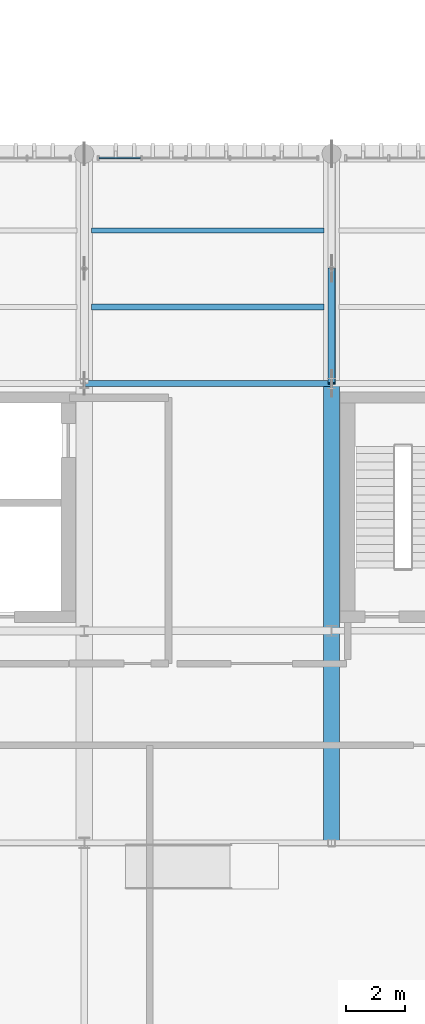
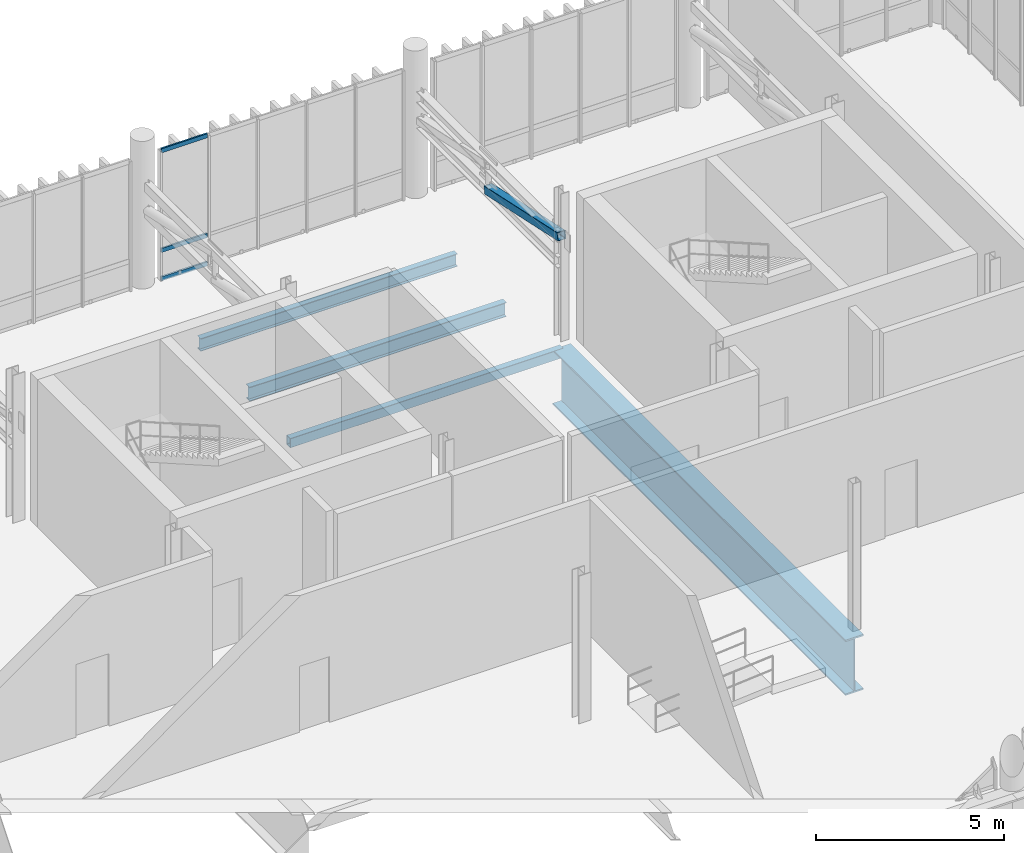
# One storey, part 16 of 81: 4 beams, 4 members, 1 element without a shape of its own.
"""IFC4 building model written with IfcOpenShell, lengths in metres."""

import ifcopenshell
import ifcopenshell.guid

model = None  # the IFC model being written
_history = None  # IfcOwnerHistory: only IFC2X3 demands one
_inside = {}  # id of a spatial element -> (the spatial element, [elements in it])
_under = {}  # id of a project, library or spatial element -> (it, [spatial elements below it])
_declared = {}  # id of a project -> (the project, [libraries it declares])
_typed = {}  # id of a type object -> (the type object, [elements of that type])
_made_of = {}  # id of a material, layer set ... -> (it, [elements and type objects made of it])


def new_model(schema):
    """Start an empty IFC model of exactly this schema.

    Asked for "IFC4X3", IfcOpenShell would pick the latest addendum, in which some entities
    have other attributes; the version numbers below select the first issue.
    IFC2X3 requires an IfcOwnerHistory on every rooted entity: one is made here for all.
    """
    global model, _history
    if schema == "IFC4X3":
        model = ifcopenshell.file(schema_version=(4, 3, 0, 0))
    else:
        model = ifcopenshell.file(schema=schema)
    _inside.clear()
    _under.clear()
    _declared.clear()
    _typed.clear()
    _made_of.clear()
    _history = None
    if model.schema == "IFC2X3":
        org = make("IfcOrganization", Name="unknown")
        user = make(
            "IfcPersonAndOrganization",
            ThePerson=make("IfcPerson", FamilyName="unknown"),
            TheOrganization=org,
        )
        app = make(
            "IfcApplication",
            ApplicationDeveloper=org,
            Version="unknown",
            ApplicationFullName="unknown",
            ApplicationIdentifier="unknown",
        )
        _history = make(
            "IfcOwnerHistory",
            OwningUser=user,
            OwningApplication=app,
            ChangeAction="ADDED",
            CreationDate=0,
        )
    return model


def make(cls, **values):
    """One entity of the class cls with the attributes given. An attribute that is None is left unset."""
    return model.create_entity(
        cls, **{name: value for name, value in values.items() if value is not None}
    )


def rooted(cls, **values):
    """An entity with a GlobalId (a new one), such as an element, a storey or a relation."""
    return make(cls, GlobalId=ifcopenshell.guid.new(), OwnerHistory=_history, **values)


def si_unit(unit_type, name, prefix=None):
    """IfcSIUnit, for example si_unit("LENGTHUNIT", "METRE", prefix="MILLI")."""
    return make("IfcSIUnit", UnitType=unit_type, Prefix=prefix, Name=name)


def assignment(units):
    """IfcUnitAssignment: the units of a project."""
    return None if units is None else make("IfcUnitAssignment", Units=units)


def point(xyz):
    """IfcCartesianPoint."""
    return None if xyz is None else make("IfcCartesianPoint", Coordinates=xyz)


def direction(xyz):
    """IfcDirection."""
    return None if xyz is None else make("IfcDirection", DirectionRatios=xyz)


def frame(location, z_axis=None, x_axis=None):
    """IfcAxis2Placement3D, a coordinate frame: its origin and axes. An axis left out is left unset."""
    return make(
        "IfcAxis2Placement3D",
        Location=point(location),
        Axis=direction(z_axis),
        RefDirection=direction(x_axis),
    )


def frame_2d(location, x_axis=None):
    """IfcAxis2Placement2D, a coordinate frame in the plane: its origin and x axis."""
    return make(
        "IfcAxis2Placement2D", Location=point(location), RefDirection=direction(x_axis)
    )


def origin_with_axes():
    """The frame at (0, 0, 0) with the z axis (0, 0, 1) and the x axis (1, 0, 0) written out."""
    return frame((0.0, 0.0, 0.0), z_axis=(0.0, 0.0, 1.0), x_axis=(1.0, 0.0, 0.0))


def origin_2d_with_axis():
    """The frame at (0, 0) in the plane with the x axis (1, 0) written out."""
    return frame_2d((0.0, 0.0), x_axis=(1.0, 0.0))


def place(relative_to, where):
    """IfcLocalPlacement: puts the frame where relative to a parent placement (None: the world)."""
    return make(
        "IfcLocalPlacement", PlacementRelTo=relative_to, RelativePlacement=where
    )


def context(
    kind, dimensions, precision=None, world=None, true_north=None, identifier=None
):
    """IfcGeometricRepresentationContext, for example the 3D "Model" context."""
    return make(
        "IfcGeometricRepresentationContext",
        ContextIdentifier=identifier,
        ContextType=kind,
        CoordinateSpaceDimension=dimensions,
        Precision=precision,
        WorldCoordinateSystem=world,
        TrueNorth=true_north,
    )


def subcontext(parent, identifier, kind, view, scale=None):
    """IfcGeometricRepresentationSubContext, for example "Body" below "Model"."""
    return make(
        "IfcGeometricRepresentationSubContext",
        ContextIdentifier=identifier,
        ContextType=kind,
        ParentContext=parent,
        TargetScale=scale,
        TargetView=view,
    )


def project(units=None, contexts=None):
    """IfcProject with its units and contexts."""
    return rooted(
        "IfcProject",
        Name="project",
        RepresentationContexts=contexts,
        UnitsInContext=assignment(units),
    )


def spatial(cls, under=None, at=None, **own):
    """A site, building, storey or space (cls), placed at a placement, below another one or the project."""
    s = rooted(cls, ObjectPlacement=at, **own)
    if under is not None:
        _under.setdefault(under.id(), (under, []))[1].append(s)
    return s


def profile(cls, at=None, kind="AREA", **sizes):
    """A parametric profile (cls). Its sizes go by their IFC names, for example OverallWidth=200.0."""
    return make(cls, ProfileType=kind, Position=at, **sizes)


def hollow_rectangle(**sizes):
    """IfcRectangleHollowProfileDef."""
    return profile("IfcRectangleHollowProfileDef", **sizes)


def i_section(**sizes):
    """IfcIShapeProfileDef."""
    return profile("IfcIShapeProfileDef", **sizes)


def extrude(swept, where, along, depth):
    """IfcExtrudedAreaSolid: the profile swept, set in the frame where, extruded along a direction by depth."""
    return make(
        "IfcExtrudedAreaSolid",
        SweptArea=swept,
        Position=where,
        ExtrudedDirection=direction(along),
        Depth=depth,
    )


def shape(context_of_items, identifier, shape_type, items):
    """IfcShapeRepresentation: the items that make up one representation, for example the "Body"."""
    return make(
        "IfcShapeRepresentation",
        ContextOfItems=context_of_items,
        RepresentationIdentifier=identifier,
        RepresentationType=shape_type,
        Items=items,
    )


def material(Name=None, Category=None):
    """IfcMaterial."""
    return make("IfcMaterial", Name=Name, Category=Category)


def material_profile(
    of_material, cross_section, Name=None, Category=None, Priority=None
):
    """IfcMaterialProfile: a cross section and its material."""
    return make(
        "IfcMaterialProfile",
        Name=Name,
        Material=of_material,
        Profile=cross_section,
        Priority=Priority,
        Category=Category,
    )


def profile_set(profiles, Name=None, composite=None):
    """IfcMaterialProfileSet."""
    return make(
        "IfcMaterialProfileSet",
        Name=Name,
        MaterialProfiles=profiles,
        CompositeProfile=composite,
    )


def made_of(thing, what):
    """Note that an element or type object is made of a material, layer set ...; save() writes the relation."""
    if what is not None:
        _made_of.setdefault(what.id(), (what, []))[1].append(thing)
    return thing


def type_object(cls, material=None, **own):
    """A type object (cls), such as IfcWallType, which elements share."""
    return made_of(rooted(cls, **own), material)


def element(
    cls,
    number,
    at=None,
    inside=None,
    cuts=None,
    type_object=None,
    material=None,
    context=None,
    identifier="Body",
    shape_type=None,
    held_by="IfcProductDefinitionShape",
    body=None,
    shapes=None,
    **own,
):
    """One element of the class cls, such as IfcWall. Its Tag is "e" and its number.

    at: its placement. inside: the storey or other place that contains it. cuts: it is an
    opening in that element (IfcRelVoidsElement). A single representation is given by context,
    identifier, shape_type and body (its items); several are given by shapes. held_by: the class
    of the entity that holds the representations. save() writes the other relations.
    """
    e = rooted(cls, Tag="e%d" % number, ObjectPlacement=at, **own)
    if body is not None:
        shapes = [shape(context, identifier, shape_type, body)]
    if shapes is not None:
        e.Representation = make(held_by, Representations=shapes)
    if inside is not None:
        _inside.setdefault(inside.id(), (inside, []))[1].append(e)
    if cuts is not None:
        rooted(
            "IfcRelVoidsElement", RelatingBuildingElement=cuts, RelatedOpeningElement=e
        )
    if type_object is not None:
        _typed.setdefault(type_object.id(), (type_object, []))[1].append(e)
    return made_of(e, material)


def aggregate(whole, parts):
    """IfcRelAggregates: a whole, such as a stair, and the parts it consists of."""
    return rooted("IfcRelAggregates", RelatingObject=whole, RelatedObjects=parts)


def save(model, path):
    """Write the relations noted so far, then the file.

    IfcRelAggregates (storeys below a building ...), IfcRelContainedInSpatialStructure (elements
    in a storey), IfcRelDefinesByType, IfcRelAssociatesMaterial and IfcRelDeclares: one each for
    every whole, place, type object, material and project.
    """
    for whole, parts in _under.values():
        aggregate(whole, parts)
    for where, things in _inside.values():
        rooted(
            "IfcRelContainedInSpatialStructure",
            RelatedElements=things,
            RelatingStructure=where,
        )
    for kind, things in _typed.values():
        rooted("IfcRelDefinesByType", RelatedObjects=things, RelatingType=kind)
    for what, things in _made_of.values():
        rooted("IfcRelAssociatesMaterial", RelatedObjects=things, RelatingMaterial=what)
    for by, libraries in _declared.values():
        rooted("IfcRelDeclares", RelatingContext=by, RelatedDefinitions=libraries)
    model.write(path)


model = new_model("IFC4")

# Units and contexts
model_context = context("Model", 3, precision=1e-05, world=origin_with_axes(), true_north=direction((0.0, 1.0)))
body_context = subcontext(model_context, "Body", "Model", "MODEL_VIEW")
ifc_project = project(units=[si_unit("LENGTHUNIT", "METRE"), si_unit("AREAUNIT", "SQUARE_METRE"), si_unit("VOLUMEUNIT", "CUBIC_METRE"), si_unit("PLANEANGLEUNIT", "RADIAN"), si_unit("MASSUNIT", "GRAM", prefix="KILO"), si_unit("THERMODYNAMICTEMPERATUREUNIT", "KELVIN")], contexts=[model_context])

# Site, building, storey
site_placement = place(None, origin_with_axes())
site = spatial("IfcSite", under=ifc_project, at=site_placement, CompositionType="ELEMENT")
building_placement = place(site_placement, origin_with_axes())
building = spatial("IfcBuilding", under=site, at=building_placement, Name="Montbau Bow Law Courts", CompositionType="ELEMENT")
storey_placement = place(building_placement, frame((0.0, 0.0, 24.9), z_axis=(0.0, 0.0, 1.0), x_axis=(1.0, 0.0, 0.0)))
storey = spatial("IfcBuildingStorey", under=building, at=storey_placement, Name="L05", CompositionType="ELEMENT", Elevation=24.9)

# Beams
ifc_material_1 = material(Name="Steel CSA G40.21 Grade 350W (350 MPa)", Category="steel")
ifc_material_profile_1 = material_profile(ifc_material_1, i_section(OverallWidth=0.191, OverallDepth=0.46, WebThickness=0.0099, FlangeThickness=0.016, at=origin_2d_with_axis()), Name="W460X82", Category="Main", Priority=0)
ifc_profile_set_1 = profile_set([ifc_material_profile_1], Name="Steel CSA G40.21 Grade 350W (350 MPa)")
beam_type_1 = type_object("IfcBeamType", Name="B-JST-01", PredefinedType="JOIST", material=ifc_profile_set_1)
beam_1_placement = place(None, frame((22.451, 57.2, 24.37), z_axis=(1.0, 0.0, 0.0), x_axis=(0.0, 1.0, 0.0)))
element("IfcBeam", 1, at=beam_1_placement, inside=storey, type_object=beam_type_1, Name="JST-L05-S0324:jst2_0324", PredefinedType="JOIST", context=body_context, shape_type="SweptSolid", body=[
    extrude(i_section(OverallWidth=0.191, OverallDepth=0.46, WebThickness=0.0099, FlangeThickness=0.016, at=origin_2d_with_axis()), origin_with_axes(), (0.0, 0.0, 1.0), 7.898),
])
ifc_material_profile_2 = material_profile(ifc_material_1, i_section(OverallWidth=0.179, OverallDepth=0.41, WebThickness=0.0088, FlangeThickness=0.0144, at=origin_2d_with_axis()), Name="W410X67", Category="Main", Priority=0)
ifc_profile_set_2 = profile_set([ifc_material_profile_2], Name="Steel CSA G40.21 Grade 350W (350 MPa)")
beam_type_2 = type_object("IfcBeamType", Name="B-JST-02", PredefinedType="JOIST", material=ifc_profile_set_2)
beam_2_placement = place(None, frame((22.451, 59.8, 24.395), z_axis=(1.0, 0.0, 0.0), x_axis=(0.0, 1.0, 0.0)))
element("IfcBeam", 2, at=beam_2_placement, inside=storey, type_object=beam_type_2, Name="JST-L05-S0325:jst2_0325", PredefinedType="JOIST", context=body_context, shape_type="SweptSolid", body=[
    extrude(i_section(OverallWidth=0.179, OverallDepth=0.41, WebThickness=0.0088, FlangeThickness=0.0144, at=origin_2d_with_axis()), origin_with_axes(), (0.0, 0.0, 1.0), 7.898),
])
ifc_material_2 = material(Name="Steel CSA G40.21 Grade 350WT (350 MPa)", Category="steel")
ifc_material_profile_3 = material_profile(ifc_material_2, hollow_rectangle(XDim=0.203, YDim=0.305, WallThickness=0.0127, InnerFilletRadius=0.0254, OuterFilletRadius=0.0127, at=origin_2d_with_axis()), Name="HSS305X203X13", Category="Main", Priority=0)
ifc_profile_set_3 = profile_set([ifc_material_profile_3], Name="Steel CSA G40.21 Grade 350WT (350 MPa)")
beam_type_3 = type_object("IfcBeamType", Name="B-SPN-02", PredefinedType="SPANDREL", material=ifc_profile_set_3)
beam_3_placement = place(None, frame((22.2, 54.6, 24.448), z_axis=(1.0, 0.0, 0.0), x_axis=(0.0, 1.0, 0.0)))
element("IfcBeam", 3, at=beam_3_placement, inside=storey, type_object=beam_type_3, Name="SPN-L05-S0660:bm2_0663", PredefinedType="SPANDREL", context=body_context, shape_type="SweptSolid", body=[
    extrude(hollow_rectangle(XDim=0.203, YDim=0.305, WallThickness=0.0127, InnerFilletRadius=0.0254, OuterFilletRadius=0.0127, at=origin_2d_with_axis()), origin_with_axes(), (0.0, 0.0, 1.0), 8.4),
])
ifc_material_profile_4 = material_profile(ifc_material_2, i_section(OverallWidth=0.55, OverallDepth=1.8, WebThickness=0.022, FlangeThickness=0.05, at=origin_2d_with_axis()), Name="WWF1800X550", Category="Main", Priority=0)
ifc_profile_set_4 = profile_set([ifc_material_profile_4], Name="Steel CSA G40.21 Grade 350WT (350 MPa)")
beam_type_4 = type_object("IfcBeamType", Name="B-TRG-01", PredefinedType="USERDEFINED", material=ifc_profile_set_4)
beam_4_placement = place(None, frame((30.6, 39.0, 23.7), z_axis=(0.0, 1.0, 0.0), x_axis=(-1.0, 0.0, 0.0)))
element("IfcBeam", 4, at=beam_4_placement, inside=storey, type_object=beam_type_4, Name="TRG-L05-S0037:bm2_0040", ObjectType="GIRDER", PredefinedType="USERDEFINED", context=body_context, shape_type="SweptSolid", body=[
    extrude(i_section(OverallWidth=0.55, OverallDepth=1.8, WebThickness=0.022, FlangeThickness=0.05, at=origin_2d_with_axis()), origin_with_axes(), (0.0, 0.0, 1.0), 15.6),
])

# Member
ifc_material_profile_5 = material_profile(ifc_material_1, hollow_rectangle(XDim=0.254, YDim=0.254, WallThickness=0.0127, InnerFilletRadius=0.0254, OuterFilletRadius=0.0127, at=origin_2d_with_axis()), Name="HSS254X254X13", Category="Main", Priority=0)
ifc_profile_set_5 = profile_set([ifc_material_profile_5], Name="Steel CSA G40.21 Grade 350W (350 MPa)")
member_type_1 = type_object("IfcMemberType", Name="M-BRC-01", PredefinedType="BRACE", material=ifc_profile_set_5)
member_1_placement = place(None, frame((30.6, 54.6, 28.2), z_axis=(0.0, 0.977581781, -0.210556076), x_axis=(-1.0, 0.0, 0.0)))
element("IfcMember", 5, at=member_1_placement, inside=storey, type_object=member_type_1, Name="Diagonal brace BRC-L05-007", PredefinedType="BRACE", context=body_context, shape_type="SweptSolid", body=[
    extrude(hollow_rectangle(XDim=0.254, YDim=0.254, WallThickness=0.0127, InnerFilletRadius=0.0254, OuterFilletRadius=0.0127, at=origin_2d_with_axis()), origin_with_axes(), (0.0, 0.0, 1.0), 3.989436),
])

# Curtain wall, members
ifc_material_3 = material(Name="Thermally Broken Extruded Aluminium AA 6063-T6", Category="aluminium")
curtain_wall_type = type_object("IfcCurtainWallType", Name="CW-TRC-02", PredefinedType="NOTDEFINED", material=ifc_material_3)
curtain_wall_placement = place(None, frame((22.64, 62.26, 24.9), z_axis=(0.0, 0.0, 1.0), x_axis=(1.0, 0.0, 0.0)))
curtain_wall = element("IfcCurtainWall", 6, at=curtain_wall_placement, inside=storey, type_object=curtain_wall_type, Name="CW-L05-083:cw_0083", PredefinedType="NOTDEFINED")
ifc_material_profile_6 = material_profile(ifc_material_3, hollow_rectangle(XDim=0.055, YDim=0.14, WallThickness=0.004, InnerFilletRadius=0.008, OuterFilletRadius=0.004, at=origin_2d_with_axis()), Name="CWT-140X55", Category="Main", Priority=0)
ifc_profile_set_6 = profile_set([ifc_material_profile_6], Name="Thermally Broken Extruded Aluminium AA 6063-T6")
member_type_2 = type_object("IfcMemberType", Name="M-TRN-02", PredefinedType="USERDEFINED", material=ifc_profile_set_6)
member_2_placement = place(None, frame((22.702, 62.26, 24.927), z_axis=(1.0, 0.0, 0.0), x_axis=(0.0, 1.0, 0.0)))
member_2 = element("IfcMember", 7, at=member_2_placement, type_object=member_type_2, Name="CW-L05-083-T01-1:cw_0083_T01_1", ObjectType="TRANSOM", PredefinedType="USERDEFINED", context=body_context, shape_type="SweptSolid", body=[
    extrude(hollow_rectangle(XDim=0.055, YDim=0.14, WallThickness=0.004, InnerFilletRadius=0.008, OuterFilletRadius=0.004, at=origin_2d_with_axis()), origin_with_axes(), (0.0, 0.0, 1.0), 1.41),
])
member_3_placement = place(None, frame((22.702, 62.26, 25.85), z_axis=(1.0, 0.0, 0.0), x_axis=(0.0, 1.0, 0.0)))
member_3 = element("IfcMember", 8, at=member_3_placement, type_object=member_type_2, Name="CW-L05-083-T01-2:cw_0083_T01_2", ObjectType="TRANSOM", PredefinedType="USERDEFINED", context=body_context, shape_type="SweptSolid", body=[
    extrude(hollow_rectangle(XDim=0.055, YDim=0.14, WallThickness=0.004, InnerFilletRadius=0.008, OuterFilletRadius=0.004, at=origin_2d_with_axis()), origin_with_axes(), (0.0, 0.0, 1.0), 1.41),
])
member_4_placement = place(None, frame((22.702, 62.26, 29.093), z_axis=(1.0, 0.0, 0.0), x_axis=(0.0, 1.0, 0.0)))
member_4 = element("IfcMember", 9, at=member_4_placement, type_object=member_type_2, Name="CW-L05-083-T01-3:cw_0083_T01_3", ObjectType="TRANSOM", PredefinedType="USERDEFINED", context=body_context, shape_type="SweptSolid", body=[
    extrude(hollow_rectangle(XDim=0.055, YDim=0.14, WallThickness=0.004, InnerFilletRadius=0.008, OuterFilletRadius=0.004, at=origin_2d_with_axis()), origin_with_axes(), (0.0, 0.0, 1.0), 1.41),
])
aggregate(curtain_wall, [member_2, member_3, member_4])

save(model, "model.ifc")
